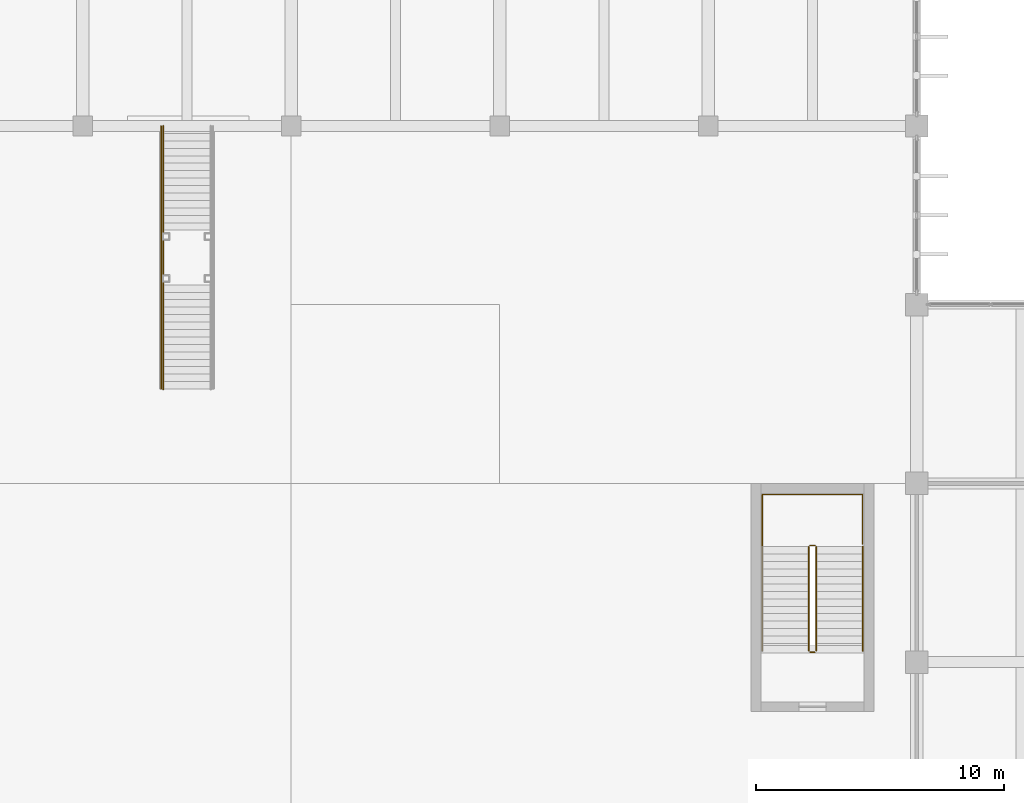
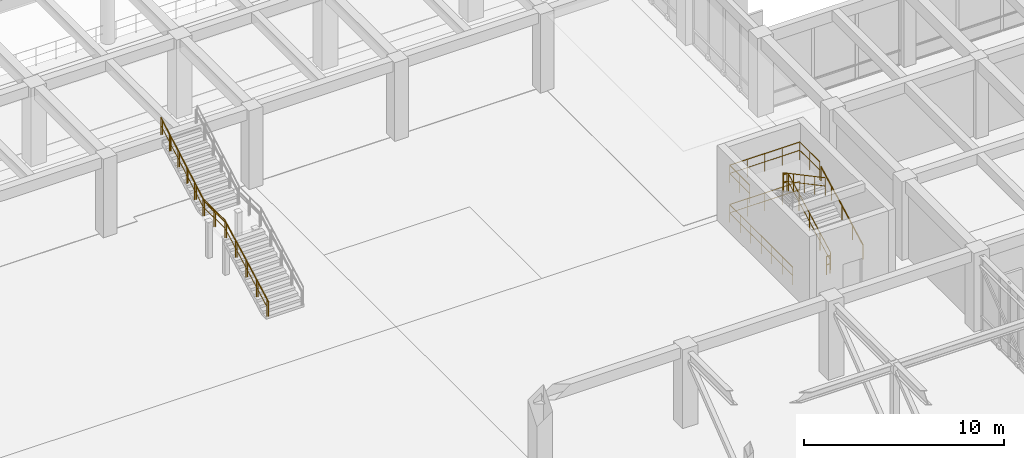
# One storey, part 45 of 51: 9 railings.
"""IFC4 building model written with IfcOpenShell, lengths in metres."""

import ifcopenshell
import ifcopenshell.guid

model = None  # the IFC model being written
_history = None  # IfcOwnerHistory: only IFC2X3 demands one
_inside = {}  # id of a spatial element -> (the spatial element, [elements in it])
_under = {}  # id of a project, library or spatial element -> (it, [spatial elements below it])
_declared = {}  # id of a project -> (the project, [libraries it declares])
_typed = {}  # id of a type object -> (the type object, [elements of that type])
_made_of = {}  # id of a material, layer set ... -> (it, [elements and type objects made of it])


def new_model(schema):
    """Start an empty IFC model of exactly this schema.

    Asked for "IFC4X3", IfcOpenShell would pick the latest addendum, in which some entities
    have other attributes; the version numbers below select the first issue.
    IFC2X3 requires an IfcOwnerHistory on every rooted entity: one is made here for all.
    """
    global model, _history
    if schema == "IFC4X3":
        model = ifcopenshell.file(schema_version=(4, 3, 0, 0))
    else:
        model = ifcopenshell.file(schema=schema)
    _inside.clear()
    _under.clear()
    _declared.clear()
    _typed.clear()
    _made_of.clear()
    _history = None
    if model.schema == "IFC2X3":
        org = make("IfcOrganization", Name="unknown")
        user = make(
            "IfcPersonAndOrganization",
            ThePerson=make("IfcPerson", FamilyName="unknown"),
            TheOrganization=org,
        )
        app = make(
            "IfcApplication",
            ApplicationDeveloper=org,
            Version="unknown",
            ApplicationFullName="unknown",
            ApplicationIdentifier="unknown",
        )
        _history = make(
            "IfcOwnerHistory",
            OwningUser=user,
            OwningApplication=app,
            ChangeAction="ADDED",
            CreationDate=0,
        )
    return model


def make(cls, **values):
    """One entity of the class cls with the attributes given. An attribute that is None is left unset."""
    return model.create_entity(
        cls, **{name: value for name, value in values.items() if value is not None}
    )


def rooted(cls, **values):
    """An entity with a GlobalId (a new one), such as an element, a storey or a relation."""
    return make(cls, GlobalId=ifcopenshell.guid.new(), OwnerHistory=_history, **values)


def si_unit(unit_type, name, prefix=None):
    """IfcSIUnit, for example si_unit("LENGTHUNIT", "METRE", prefix="MILLI")."""
    return make("IfcSIUnit", UnitType=unit_type, Prefix=prefix, Name=name)


def assignment(units):
    """IfcUnitAssignment: the units of a project."""
    return None if units is None else make("IfcUnitAssignment", Units=units)


def point(xyz):
    """IfcCartesianPoint."""
    return None if xyz is None else make("IfcCartesianPoint", Coordinates=xyz)


def direction(xyz):
    """IfcDirection."""
    return None if xyz is None else make("IfcDirection", DirectionRatios=xyz)


def frame(location, z_axis=None, x_axis=None):
    """IfcAxis2Placement3D, a coordinate frame: its origin and axes. An axis left out is left unset."""
    return make(
        "IfcAxis2Placement3D",
        Location=point(location),
        Axis=direction(z_axis),
        RefDirection=direction(x_axis),
    )


def frame_2d(location, x_axis=None):
    """IfcAxis2Placement2D, a coordinate frame in the plane: its origin and x axis."""
    return make(
        "IfcAxis2Placement2D", Location=point(location), RefDirection=direction(x_axis)
    )


def origin():
    """The frame at (0, 0, 0) with its axes left unset."""
    return frame((0.0, 0.0, 0.0))


def origin_2d():
    """The frame at (0, 0) in the plane with its x axis left unset."""
    return frame_2d((0.0, 0.0))


def place(relative_to, where):
    """IfcLocalPlacement: puts the frame where relative to a parent placement (None: the world)."""
    return make(
        "IfcLocalPlacement", PlacementRelTo=relative_to, RelativePlacement=where
    )


def context(
    kind, dimensions, precision=None, world=None, true_north=None, identifier=None
):
    """IfcGeometricRepresentationContext, for example the 3D "Model" context."""
    return make(
        "IfcGeometricRepresentationContext",
        ContextIdentifier=identifier,
        ContextType=kind,
        CoordinateSpaceDimension=dimensions,
        Precision=precision,
        WorldCoordinateSystem=world,
        TrueNorth=true_north,
    )


def subcontext(parent, identifier, kind, view, scale=None):
    """IfcGeometricRepresentationSubContext, for example "Body" below "Model"."""
    return make(
        "IfcGeometricRepresentationSubContext",
        ContextIdentifier=identifier,
        ContextType=kind,
        ParentContext=parent,
        TargetScale=scale,
        TargetView=view,
    )


def project(units=None, contexts=None):
    """IfcProject with its units and contexts."""
    return rooted(
        "IfcProject",
        Name="project",
        RepresentationContexts=contexts,
        UnitsInContext=assignment(units),
    )


def spatial(cls, under=None, at=None, **own):
    """A site, building, storey or space (cls), placed at a placement, below another one or the project."""
    s = rooted(cls, ObjectPlacement=at, **own)
    if under is not None:
        _under.setdefault(under.id(), (under, []))[1].append(s)
    return s


def profile(cls, at=None, kind="AREA", **sizes):
    """A parametric profile (cls). Its sizes go by their IFC names, for example OverallWidth=200.0."""
    return make(cls, ProfileType=kind, Position=at, **sizes)


def circle(**sizes):
    """IfcCircleProfileDef."""
    return profile("IfcCircleProfileDef", **sizes)


def extrude(swept, where, along, depth):
    """IfcExtrudedAreaSolid: the profile swept, set in the frame where, extruded along a direction by depth."""
    return make(
        "IfcExtrudedAreaSolid",
        SweptArea=swept,
        Position=where,
        ExtrudedDirection=direction(along),
        Depth=depth,
    )


def shape(context_of_items, identifier, shape_type, items):
    """IfcShapeRepresentation: the items that make up one representation, for example the "Body"."""
    return make(
        "IfcShapeRepresentation",
        ContextOfItems=context_of_items,
        RepresentationIdentifier=identifier,
        RepresentationType=shape_type,
        Items=items,
    )


def material(Name=None, Category=None):
    """IfcMaterial."""
    return make("IfcMaterial", Name=Name, Category=Category)


def made_of(thing, what):
    """Note that an element or type object is made of a material, layer set ...; save() writes the relation."""
    if what is not None:
        _made_of.setdefault(what.id(), (what, []))[1].append(thing)
    return thing


def type_object(cls, material=None, **own):
    """A type object (cls), such as IfcWallType, which elements share."""
    return made_of(rooted(cls, **own), material)


def element(
    cls,
    number,
    at=None,
    inside=None,
    cuts=None,
    type_object=None,
    material=None,
    context=None,
    identifier="Body",
    shape_type=None,
    held_by="IfcProductDefinitionShape",
    body=None,
    shapes=None,
    **own,
):
    """One element of the class cls, such as IfcWall. Its Tag is "e" and its number.

    at: its placement. inside: the storey or other place that contains it. cuts: it is an
    opening in that element (IfcRelVoidsElement). A single representation is given by context,
    identifier, shape_type and body (its items); several are given by shapes. held_by: the class
    of the entity that holds the representations. save() writes the other relations.
    """
    e = rooted(cls, Tag="e%d" % number, ObjectPlacement=at, **own)
    if body is not None:
        shapes = [shape(context, identifier, shape_type, body)]
    if shapes is not None:
        e.Representation = make(held_by, Representations=shapes)
    if inside is not None:
        _inside.setdefault(inside.id(), (inside, []))[1].append(e)
    if cuts is not None:
        rooted(
            "IfcRelVoidsElement", RelatingBuildingElement=cuts, RelatedOpeningElement=e
        )
    if type_object is not None:
        _typed.setdefault(type_object.id(), (type_object, []))[1].append(e)
    return made_of(e, material)


def aggregate(whole, parts):
    """IfcRelAggregates: a whole, such as a stair, and the parts it consists of."""
    return rooted("IfcRelAggregates", RelatingObject=whole, RelatedObjects=parts)


def save(model, path):
    """Write the relations noted so far, then the file.

    IfcRelAggregates (storeys below a building ...), IfcRelContainedInSpatialStructure (elements
    in a storey), IfcRelDefinesByType, IfcRelAssociatesMaterial and IfcRelDeclares: one each for
    every whole, place, type object, material and project.
    """
    for whole, parts in _under.values():
        aggregate(whole, parts)
    for where, things in _inside.values():
        rooted(
            "IfcRelContainedInSpatialStructure",
            RelatedElements=things,
            RelatingStructure=where,
        )
    for kind, things in _typed.values():
        rooted("IfcRelDefinesByType", RelatedObjects=things, RelatingType=kind)
    for what, things in _made_of.values():
        rooted("IfcRelAssociatesMaterial", RelatedObjects=things, RelatingMaterial=what)
    for by, libraries in _declared.values():
        rooted("IfcRelDeclares", RelatingContext=by, RelatedDefinitions=libraries)
    model.write(path)


model = new_model("IFC4")

# Units and contexts
model_context = context("Model", 3, precision=1e-05, world=origin(), true_north=direction((0.0, 1.0)))
body_context = subcontext(model_context, "Body", "Model", "MODEL_VIEW")
ifc_project = project(units=[si_unit("LENGTHUNIT", "METRE"), si_unit("AREAUNIT", "SQUARE_METRE"), si_unit("VOLUMEUNIT", "CUBIC_METRE"), si_unit("PLANEANGLEUNIT", "RADIAN"), si_unit("MASSUNIT", "GRAM", prefix="KILO")], contexts=[model_context])

# Site, building, storey
site_placement = place(None, origin())
site = spatial("IfcSite", under=ifc_project, at=site_placement, CompositionType="ELEMENT")
building_placement = place(site_placement, origin())
building = spatial("IfcBuilding", under=site, at=building_placement, Name="Kenerak Square Central Library", CompositionType="ELEMENT")
storey_placement = place(building_placement, frame((0.0, 0.0, 9.60009765625)))
storey = spatial("IfcBuildingStorey", under=building, at=storey_placement, Name="L02", CompositionType="ELEMENT", Elevation=9.60009765625)

# Railings
ifc_material = material(Name="Steel S355", Category="steel")
railing_type_1 = type_object("IfcRailingType", Name="Safety Guardrail GR-1100 S355", PredefinedType="GUARDRAIL", material=ifc_material)
railing_1_placement = place(storey_placement, frame((113.14990234375, 24.449951171875, 0.159912109375)))
element("IfcRailing", 1, at=railing_1_placement, inside=storey, type_object=railing_type_1, Name="L02 ST-05 stair guard 1", PredefinedType="GUARDRAIL", context=body_context, shape_type="SweptSolid", body=[
    extrude(circle(Radius=0.02392578125, at=origin_2d()), frame((0.0, 0.0, 1.076171875), z_axis=(0.0, 0.882351521365, 0.470590897432), x_axis=(-1.0, 0.0, 0.0)), (0.0, 0.0, 1.0), 4.760009765625),
    extrude(circle(Radius=0.01806640625, at=origin_2d()), frame((0.0, 0.0, 0.572021484375), z_axis=(0.0, 0.882351521365, 0.470590897432), x_axis=(-1.0, 0.0, 0.0)), (0.0, 0.0, 1.0), 4.760009765625),
    extrude(circle(Radius=0.02099609375, at=origin_2d()), origin(), (0.0, 0.0, 1.0), 1.052001953125),
    extrude(circle(Radius=0.02099609375, at=origin_2d()), frame((0.0, 1.050048828125, 0.56005859375)), (0.0, 0.0, 1.0), 1.052001953125),
    extrude(circle(Radius=0.02099609375, at=origin_2d()), frame((0.0, 2.10009765625, 1.1201171875)), (0.0, 0.0, 1.0), 1.052001953125),
    extrude(circle(Radius=0.02099609375, at=origin_2d()), frame((0.0, 3.14990234375, 1.679931640625)), (0.0, 0.0, 1.0), 1.052001953125),
    extrude(circle(Radius=0.02099609375, at=origin_2d()), frame((0.0, 4.199951171875, 2.239990234375)), (0.0, 0.0, 1.0), 1.052001953125),
])
railing_2_placement = place(storey_placement, frame((113.10009765625, 28.699951171875, 2.39990234375)))
element("IfcRailing", 2, at=railing_2_placement, inside=storey, type_object=railing_type_1, Name="L02 ST-05 stair guard 2", PredefinedType="GUARDRAIL", context=body_context, shape_type="SweptSolid", body=[
    extrude(circle(Radius=0.02392578125, at=origin_2d()), frame((0.0, 0.0, 1.076171875), z_axis=(-1.0, 0.0, 0.0), x_axis=(0.0, -1.0, 0.0)), (0.0, 0.0, 1.0), 0.2001953125),
    extrude(circle(Radius=0.01806640625, at=origin_2d()), frame((0.0, 0.0, 0.572021484375), z_axis=(-1.0, 0.0, 0.0), x_axis=(0.0, -1.0, 0.0)), (0.0, 0.0, 1.0), 0.2001953125),
    extrude(circle(Radius=0.02099609375, at=origin_2d()), origin(), (0.0, 0.0, 1.0), 1.052001953125),
    extrude(circle(Radius=0.02099609375, at=origin_2d()), frame((-0.2001953125, 0.0, 0.0)), (0.0, 0.0, 1.0), 1.052001953125),
])
railing_3_placement = place(storey_placement, frame((112.85009765625, 28.64990234375, 2.559814453125)))
element("IfcRailing", 3, at=railing_3_placement, inside=storey, type_object=railing_type_1, Name="L02 ST-05 stair guard 3", PredefinedType="GUARDRAIL", context=body_context, shape_type="SweptSolid", body=[
    extrude(circle(Radius=0.02392578125, at=origin_2d()), frame((0.0, 0.0, 1.076171875), z_axis=(0.0, -0.882351521365, 0.470590897432), x_axis=(1.0, 0.0, 0.0)), (0.0, 0.0, 1.0), 4.760009765625),
    extrude(circle(Radius=0.01806640625, at=origin_2d()), frame((0.0, 0.0, 0.572021484375), z_axis=(0.0, -0.882351521365, 0.470590897432), x_axis=(1.0, 0.0, 0.0)), (0.0, 0.0, 1.0), 4.760009765625),
    extrude(circle(Radius=0.02099609375, at=origin_2d()), origin(), (0.0, 0.0, 1.0), 1.052001953125),
    extrude(circle(Radius=0.02099609375, at=origin_2d()), frame((0.0, -1.050048828125, 0.56005859375)), (0.0, 0.0, 1.0), 1.052001953125),
    extrude(circle(Radius=0.02099609375, at=origin_2d()), frame((0.0, -2.10009765625, 1.1201171875)), (0.0, 0.0, 1.0), 1.052001953125),
    extrude(circle(Radius=0.02099609375, at=origin_2d()), frame((0.0, -3.14990234375, 1.679931640625)), (0.0, 0.0, 1.0), 1.052001953125),
    extrude(circle(Radius=0.02099609375, at=origin_2d()), frame((0.0, -4.199951171875, 2.239990234375)), (0.0, 0.0, 1.0), 1.052001953125),
])
railing_4_placement = place(storey_placement, frame((113.10009765625, 24.39990234375, 0.0)))
element("IfcRailing", 4, at=railing_4_placement, inside=storey, type_object=railing_type_1, Name="L02 ST-05 stair guard 4", PredefinedType="GUARDRAIL", context=body_context, shape_type="SweptSolid", body=[
    extrude(circle(Radius=0.02392578125, at=origin_2d()), frame((0.0, 0.0, 1.076171875), z_axis=(-1.0, 0.0, 0.0), x_axis=(0.0, -1.0, 0.0)), (0.0, 0.0, 1.0), 0.2001953125),
    extrude(circle(Radius=0.01806640625, at=origin_2d()), frame((0.0, 0.0, 0.572021484375), z_axis=(-1.0, 0.0, 0.0), x_axis=(0.0, -1.0, 0.0)), (0.0, 0.0, 1.0), 0.2001953125),
    extrude(circle(Radius=0.02099609375, at=origin_2d()), origin(), (0.0, 0.0, 1.0), 1.052001953125),
    extrude(circle(Radius=0.02099609375, at=origin_2d()), frame((-0.2001953125, 0.0, 0.0)), (0.0, 0.0, 1.0), 1.052001953125),
])
railing_5_placement = place(storey_placement, frame((110.97998046875, 28.75, 2.39990234375)))
element("IfcRailing", 5, at=railing_5_placement, inside=storey, type_object=railing_type_1, Name="Stair Half-Landing Guard ST-05 L02", PredefinedType="GUARDRAIL", context=body_context, shape_type="SweptSolid", body=[
    extrude(circle(Radius=0.02392578125, at=origin_2d()), frame((0.0, 0.0, 1.076171875), z_axis=(0.0, 1.0, 0.0), x_axis=(-1.0, 0.0, 0.0)), (0.0, 0.0, 1.0), 2.0),
    extrude(circle(Radius=0.01806640625, at=origin_2d()), frame((0.0, 0.0, 0.572021484375), z_axis=(0.0, 1.0, 0.0), x_axis=(-1.0, 0.0, 0.0)), (0.0, 0.0, 1.0), 2.0),
    extrude(circle(Radius=0.02392578125, at=origin_2d()), frame((0.0, 2.0, 1.076171875), z_axis=(1.0, 0.0, 0.0), x_axis=(0.0, 1.0, 0.0)), (0.0, 0.0, 1.0), 4.0400390625),
    extrude(circle(Radius=0.01806640625, at=origin_2d()), frame((0.0, 2.0, 0.572021484375), z_axis=(1.0, 0.0, 0.0), x_axis=(0.0, 1.0, 0.0)), (0.0, 0.0, 1.0), 4.0400390625),
    extrude(circle(Radius=0.02392578125, at=origin_2d()), frame((4.0400390625, 2.0, 1.076171875), z_axis=(0.0, -1.0, 0.0), x_axis=(1.0, 0.0, 0.0)), (0.0, 0.0, 1.0), 2.0),
    extrude(circle(Radius=0.01806640625, at=origin_2d()), frame((4.0400390625, 2.0, 0.572021484375), z_axis=(0.0, -1.0, 0.0), x_axis=(1.0, 0.0, 0.0)), (0.0, 0.0, 1.0), 2.0),
    extrude(circle(Radius=0.02099609375, at=origin_2d()), origin(), (0.0, 0.0, 1.0), 1.052001953125),
    extrude(circle(Radius=0.02099609375, at=origin_2d()), frame((0.0, 1.0, 0.0)), (0.0, 0.0, 1.0), 1.052001953125),
    extrude(circle(Radius=0.02099609375, at=origin_2d()), frame((0.0, 2.0, 0.0)), (0.0, 0.0, 1.0), 1.052001953125),
    extrude(circle(Radius=0.02099609375, at=origin_2d()), frame((1.010009765625, 2.0, 0.0)), (0.0, 0.0, 1.0), 1.052001953125),
    extrude(circle(Radius=0.02099609375, at=origin_2d()), frame((2.02001953125, 2.0, 0.0)), (0.0, 0.0, 1.0), 1.052001953125),
    extrude(circle(Radius=0.02099609375, at=origin_2d()), frame((3.030029296875, 2.0, 0.0)), (0.0, 0.0, 1.0), 1.052001953125),
    extrude(circle(Radius=0.02099609375, at=origin_2d()), frame((4.0400390625, 2.0, 0.0)), (0.0, 0.0, 1.0), 1.052001953125),
    extrude(circle(Radius=0.02099609375, at=origin_2d()), frame((4.0400390625, 1.0, 0.0)), (0.0, 0.0, 1.0), 1.052001953125),
    extrude(circle(Radius=0.02099609375, at=origin_2d()), frame((4.0400390625, 0.0, 0.0)), (0.0, 0.0, 1.0), 1.052001953125),
])
railing_6_placement = place(storey_placement, frame((110.97998046875, 24.449951171875, 0.0)))
element("IfcRailing", 6, at=railing_6_placement, inside=storey, type_object=railing_type_1, Name="Stair Well Floor Guard ST-05 L02", PredefinedType="GUARDRAIL", context=body_context, shape_type="SweptSolid", body=[
    extrude(circle(Radius=0.02392578125, at=origin_2d()), frame((0.0, 0.0, 1.076171875), z_axis=(0.0, 1.0, 0.0), x_axis=(-1.0, 0.0, 0.0)), (0.0, 0.0, 1.0), 6.300048828125),
    extrude(circle(Radius=0.01806640625, at=origin_2d()), frame((0.0, 0.0, 0.572021484375), z_axis=(0.0, 1.0, 0.0), x_axis=(-1.0, 0.0, 0.0)), (0.0, 0.0, 1.0), 6.300048828125),
    extrude(circle(Radius=0.02392578125, at=origin_2d()), frame((0.0, 6.300048828125, 1.076171875), z_axis=(1.0, 0.0, 0.0), x_axis=(0.0, 1.0, 0.0)), (0.0, 0.0, 1.0), 4.0400390625),
    extrude(circle(Radius=0.01806640625, at=origin_2d()), frame((0.0, 6.300048828125, 0.572021484375), z_axis=(1.0, 0.0, 0.0), x_axis=(0.0, 1.0, 0.0)), (0.0, 0.0, 1.0), 4.0400390625),
    extrude(circle(Radius=0.02099609375, at=origin_2d()), origin(), (0.0, 0.0, 1.0), 1.052001953125),
    extrude(circle(Radius=0.02099609375, at=origin_2d()), frame((0.0, 1.050048828125, 0.0)), (0.0, 0.0, 1.0), 1.052001953125),
    extrude(circle(Radius=0.02099609375, at=origin_2d()), frame((0.0, 2.10009765625, 0.0)), (0.0, 0.0, 1.0), 1.052001953125),
    extrude(circle(Radius=0.02099609375, at=origin_2d()), frame((0.0, 3.14990234375, 0.0)), (0.0, 0.0, 1.0), 1.052001953125),
    extrude(circle(Radius=0.02099609375, at=origin_2d()), frame((0.0, 4.199951171875, 0.0)), (0.0, 0.0, 1.0), 1.052001953125),
    extrude(circle(Radius=0.02099609375, at=origin_2d()), frame((0.0, 5.25, 0.0)), (0.0, 0.0, 1.0), 1.052001953125),
    extrude(circle(Radius=0.02099609375, at=origin_2d()), frame((0.0, 6.300048828125, 0.0)), (0.0, 0.0, 1.0), 1.052001953125),
    extrude(circle(Radius=0.02099609375, at=origin_2d()), frame((1.010009765625, 6.300048828125, 0.0)), (0.0, 0.0, 1.0), 1.052001953125),
    extrude(circle(Radius=0.02099609375, at=origin_2d()), frame((2.02001953125, 6.300048828125, 0.0)), (0.0, 0.0, 1.0), 1.052001953125),
    extrude(circle(Radius=0.02099609375, at=origin_2d()), frame((3.030029296875, 6.300048828125, 0.0)), (0.0, 0.0, 1.0), 1.052001953125),
    extrude(circle(Radius=0.02099609375, at=origin_2d()), frame((4.0400390625, 6.300048828125, 0.0)), (0.0, 0.0, 1.0), 1.052001953125),
])
railing_7_placement = place(storey_placement, frame((86.760009765625, 35.0, 0.159912109375)))
element("IfcRailing", 7, at=railing_7_placement, inside=storey, type_object=railing_type_1, Name="Feature Stair Guardrail ST-F2 W", PredefinedType="GUARDRAIL", context=body_context, shape_type="SweptSolid", body=[
    extrude(circle(Radius=0.02392578125, at=origin_2d()), frame((0.0, 0.0, 1.076171875), z_axis=(0.0, 0.882351521365, 0.470590897432), x_axis=(-1.0, 0.0, 0.0)), (0.0, 0.0, 1.0), 4.760009765625),
    extrude(circle(Radius=0.01806640625, at=origin_2d()), frame((0.0, 0.0, 0.572021484375), z_axis=(0.0, 0.882351521365, 0.470590897432), x_axis=(-1.0, 0.0, 0.0)), (0.0, 0.0, 1.0), 4.760009765625),
    extrude(circle(Radius=0.02392578125, at=origin_2d()), frame((0.0, 4.199951171875, 3.31591796875), z_axis=(0.0, 1.0, 0.0), x_axis=(-1.0, 0.0, 0.0)), (0.0, 0.0, 1.0), 2.199951171875),
    extrude(circle(Radius=0.01806640625, at=origin_2d()), frame((0.0, 4.199951171875, 2.81201171875), z_axis=(0.0, 1.0, 0.0), x_axis=(-1.0, 0.0, 0.0)), (0.0, 0.0, 1.0), 2.199951171875),
    extrude(circle(Radius=0.02392578125, at=origin_2d()), frame((0.0, 6.39990234375, 3.31591796875), z_axis=(0.0, 0.868261776072, 0.496106327528), x_axis=(-1.0, 0.0, 0.0)), (0.0, 0.0, 1.0), 4.83740234375),
    extrude(circle(Radius=0.01806640625, at=origin_2d()), frame((0.0, 6.39990234375, 2.81201171875), z_axis=(0.0, 0.868261776072, 0.496106327528), x_axis=(-1.0, 0.0, 0.0)), (0.0, 0.0, 1.0), 4.83740234375),
    extrude(circle(Radius=0.02099609375, at=origin_2d()), origin(), (0.0, 0.0, 1.0), 1.052001953125),
    extrude(circle(Radius=0.02099609375, at=origin_2d()), frame((0.0, 1.050048828125, 0.56005859375)), (0.0, 0.0, 1.0), 1.052001953125),
    extrude(circle(Radius=0.02099609375, at=origin_2d()), frame((0.0, 2.10009765625, 1.1201171875)), (0.0, 0.0, 1.0), 1.052001953125),
    extrude(circle(Radius=0.02099609375, at=origin_2d()), frame((0.0, 3.14990234375, 1.679931640625)), (0.0, 0.0, 1.0), 1.052001953125),
    extrude(circle(Radius=0.02099609375, at=origin_2d()), frame((0.0, 4.199951171875, 2.239990234375)), (0.0, 0.0, 1.0), 1.052001953125),
    extrude(circle(Radius=0.02099609375, at=origin_2d()), frame((0.0, 5.2998046875, 2.239990234375)), (0.0, 0.0, 1.0), 1.052001953125),
    extrude(circle(Radius=0.02099609375, at=origin_2d()), frame((0.0, 6.39990234375, 2.239990234375)), (0.0, 0.0, 1.0), 1.052001953125),
    extrude(circle(Radius=0.02099609375, at=origin_2d()), frame((0.0, 7.239990234375, 2.719970703125)), (0.0, 0.0, 1.0), 1.052001953125),
    extrude(circle(Radius=0.02099609375, at=origin_2d()), frame((0.0, 8.080078125, 3.199951171875)), (0.0, 0.0, 1.0), 1.052001953125),
    extrude(circle(Radius=0.02099609375, at=origin_2d()), frame((0.0, 8.919921875, 3.679931640625)), (0.0, 0.0, 1.0), 1.052001953125),
    extrude(circle(Radius=0.02099609375, at=origin_2d()), frame((0.0, 9.760009765625, 4.159912109375)), (0.0, 0.0, 1.0), 1.052001953125),
    extrude(circle(Radius=0.02099609375, at=origin_2d()), frame((0.0, 10.60009765625, 4.639892578125)), (0.0, 0.0, 1.0), 1.052001953125),
])
railing_type_2 = type_object("IfcRailingType", Name="Stair Handrail HR-880 S355", PredefinedType="HANDRAIL", material=ifc_material)
railing_8_placement = place(storey_placement, frame((115.030029296875, 24.449951171875, 0.159912109375)))
element("IfcRailing", 8, at=railing_8_placement, inside=storey, type_object=railing_type_2, Name="L02 ST-05 stair handrail 1", PredefinedType="HANDRAIL", context=body_context, shape_type="SweptSolid", body=[
    extrude(circle(Radius=0.02392578125, at=origin_2d()), frame((0.0, 0.0, 0.85595703125), z_axis=(0.0, 0.882351521365, 0.470590897432), x_axis=(-1.0, 0.0, 0.0)), (0.0, 0.0, 1.0), 4.760009765625),
    extrude(circle(Radius=0.02099609375, at=origin_2d()), origin(), (0.0, 0.0, 1.0), 0.831787109375),
    extrude(circle(Radius=0.02099609375, at=origin_2d()), frame((0.0, 1.050048828125, 0.56005859375)), (0.0, 0.0, 1.0), 0.831787109375),
    extrude(circle(Radius=0.02099609375, at=origin_2d()), frame((0.0, 2.10009765625, 1.1201171875)), (0.0, 0.0, 1.0), 0.831787109375),
    extrude(circle(Radius=0.02099609375, at=origin_2d()), frame((0.0, 3.14990234375, 1.679931640625)), (0.0, 0.0, 1.0), 0.831787109375),
    extrude(circle(Radius=0.02099609375, at=origin_2d()), frame((0.0, 4.199951171875, 2.239990234375)), (0.0, 0.0, 1.0), 0.831787109375),
])
railing_9_placement = place(storey_placement, frame((86.84326171875, 35.0, 0.159912109375)))
element("IfcRailing", 9, at=railing_9_placement, inside=storey, type_object=railing_type_2, Name="Feature Stair Handrail ST-F2 W", PredefinedType="HANDRAIL", context=body_context, shape_type="SweptSolid", body=[
    extrude(circle(Radius=0.02392578125, at=origin_2d()), frame((0.0, 0.0, 0.85595703125), z_axis=(0.0, 0.882351521365, 0.470590897432), x_axis=(-1.0, 0.0, 0.0)), (0.0, 0.0, 1.0), 4.760009765625),
    extrude(circle(Radius=0.02392578125, at=origin_2d()), frame((0.0, 4.199951171875, 3.095703125), z_axis=(0.0, 1.0, 0.0), x_axis=(-1.0, 0.0, 0.0)), (0.0, 0.0, 1.0), 2.199951171875),
    extrude(circle(Radius=0.02392578125, at=origin_2d()), frame((0.0, 6.39990234375, 3.095703125), z_axis=(0.0, 0.868261776072, 0.496106327528), x_axis=(-1.0, 0.0, 0.0)), (0.0, 0.0, 1.0), 4.83740234375),
    extrude(circle(Radius=0.02099609375, at=origin_2d()), origin(), (0.0, 0.0, 1.0), 0.831787109375),
    extrude(circle(Radius=0.02099609375, at=origin_2d()), frame((0.0, 1.050048828125, 0.56005859375)), (0.0, 0.0, 1.0), 0.831787109375),
    extrude(circle(Radius=0.02099609375, at=origin_2d()), frame((0.0, 2.10009765625, 1.1201171875)), (0.0, 0.0, 1.0), 0.831787109375),
    extrude(circle(Radius=0.02099609375, at=origin_2d()), frame((0.0, 3.14990234375, 1.679931640625)), (0.0, 0.0, 1.0), 0.831787109375),
    extrude(circle(Radius=0.02099609375, at=origin_2d()), frame((0.0, 4.199951171875, 2.239990234375)), (0.0, 0.0, 1.0), 0.831787109375),
    extrude(circle(Radius=0.02099609375, at=origin_2d()), frame((0.0, 5.2998046875, 2.239990234375)), (0.0, 0.0, 1.0), 0.831787109375),
    extrude(circle(Radius=0.02099609375, at=origin_2d()), frame((0.0, 6.39990234375, 2.239990234375)), (0.0, 0.0, 1.0), 0.831787109375),
    extrude(circle(Radius=0.02099609375, at=origin_2d()), frame((0.0, 7.239990234375, 2.719970703125)), (0.0, 0.0, 1.0), 0.831787109375),
    extrude(circle(Radius=0.02099609375, at=origin_2d()), frame((0.0, 8.080078125, 3.199951171875)), (0.0, 0.0, 1.0), 0.831787109375),
    extrude(circle(Radius=0.02099609375, at=origin_2d()), frame((0.0, 8.919921875, 3.679931640625)), (0.0, 0.0, 1.0), 0.831787109375),
    extrude(circle(Radius=0.02099609375, at=origin_2d()), frame((0.0, 9.760009765625, 4.159912109375)), (0.0, 0.0, 1.0), 0.831787109375),
    extrude(circle(Radius=0.02099609375, at=origin_2d()), frame((0.0, 10.60009765625, 4.639892578125)), (0.0, 0.0, 1.0), 0.831787109375),
])

save(model, "model.ifc")
